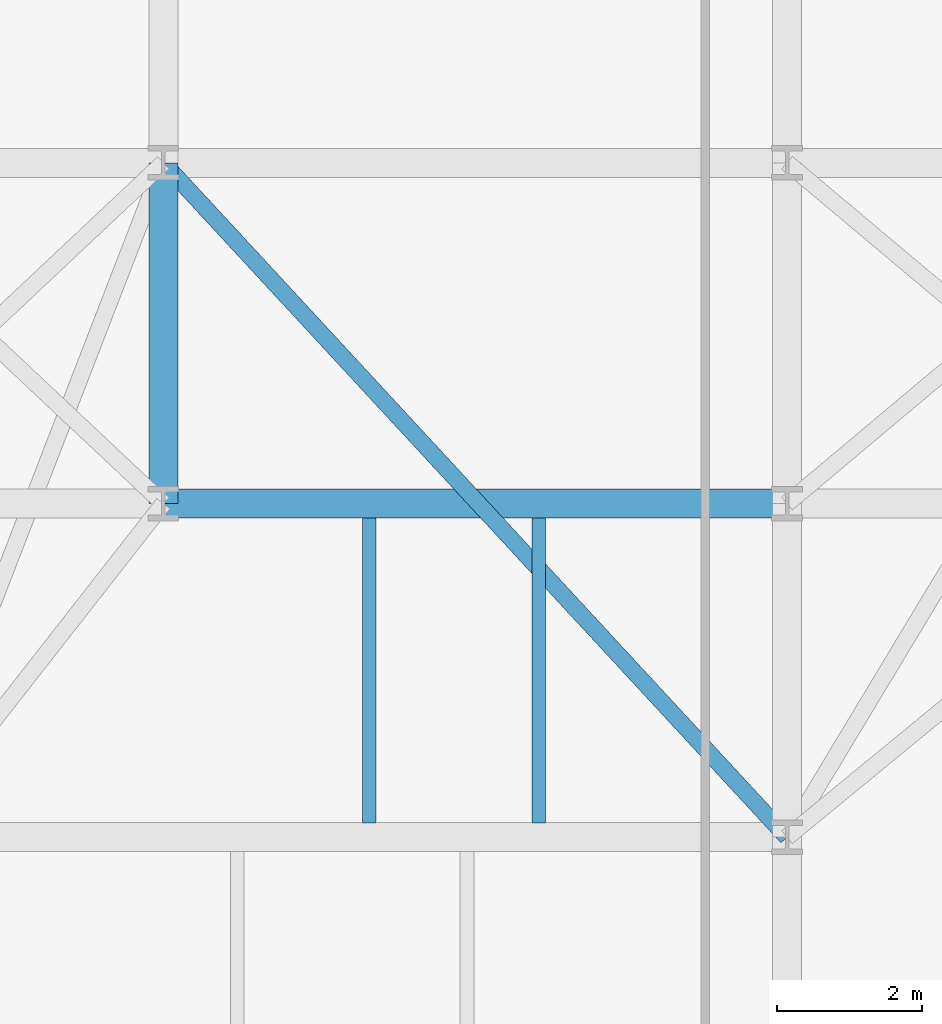
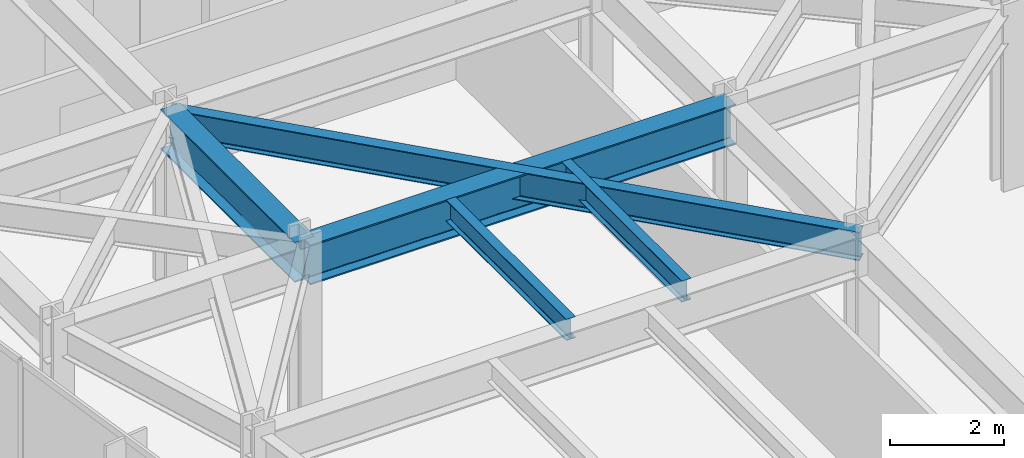
# One storey, part 10 of 26: 5 beams.
"""IFC4 building model written with IfcOpenShell, lengths in metres."""

from ifc_helpers import new_model, si_unit, direction, frame, origin, origin_2d, place, context, subcontext, project, spatial, i_section, extrude, material, material_profile, profile_set, type_object, element, save


model = new_model("IFC4")

# Units and contexts
model_context = context("Model", 3, precision=1e-05, world=origin(), true_north=direction((0.0, 1.0)))
body_context = subcontext(model_context, "Body", "Model", "MODEL_VIEW")
ifc_project = project(units=[si_unit("LENGTHUNIT", "METRE"), si_unit("AREAUNIT", "SQUARE_METRE"), si_unit("VOLUMEUNIT", "CUBIC_METRE"), si_unit("PLANEANGLEUNIT", "RADIAN"), si_unit("MASSUNIT", "GRAM", prefix="KILO")], contexts=[model_context])

# Site, building, storey
site_placement = place(None, origin())
site = spatial("IfcSite", under=ifc_project, at=site_placement, CompositionType="ELEMENT")
building_placement = place(site_placement, origin())
building = spatial("IfcBuilding", under=site, at=building_placement, Name="Kravanh Interchange Tower", CompositionType="ELEMENT")
storey_placement = place(building_placement, frame((0.0, 0.0, 124.0)))
storey = spatial("IfcBuildingStorey", under=building, at=storey_placement, Name="L29", CompositionType="ELEMENT", Elevation=124.0)

# Beams
ifc_material_1 = material(Name="Structural Steel S355", Category="steel")
ifc_material_profile_1 = material_profile(ifc_material_1, i_section(OverallWidth=0.39990234375, OverallDepth=0.85595703125, WebThickness=0.018310546875, FlangeThickness=0.029296875, FilletRadius=0.02490234375, at=origin_2d()), Name="W33X201")
ifc_profile_set_1 = profile_set([ifc_material_profile_1], Name="Structural Steel S355")
beam_type_1 = type_object("IfcBeamType", Name="Floor Beam W33X201 Structural Steel S355", PredefinedType="BEAM", material=ifc_profile_set_1)
beam_1_placement = place(storey_placement, frame((18.60009765625, 26.800048828125, 3.322021484375), z_axis=(0.0, 1.0, 0.0), x_axis=(-1.0, 0.0, 0.0)))
element("IfcBeam", 1, at=beam_1_placement, inside=storey, type_object=beam_type_1, Name="L29 Primary Floor Girder 41", PredefinedType="BEAM", context=body_context, shape_type="SweptSolid", body=[
    extrude(i_section(OverallWidth=0.39990234375, OverallDepth=0.85595703125, WebThickness=0.018310546875, FlangeThickness=0.029296875, FilletRadius=0.02490234375, at=origin_2d()), origin(), (0.0, 0.0, 1.0), 4.699951171875),
])
beam_2_placement = place(storey_placement, frame((18.60009765625, 26.800048828125, 3.322021484375), z_axis=(1.0, 0.0, 0.0), x_axis=(0.0, 1.0, 0.0)))
element("IfcBeam", 2, at=beam_2_placement, inside=storey, type_object=beam_type_1, Name="L29 Primary Floor Girder 44", PredefinedType="BEAM", context=body_context, shape_type="SweptSolid", body=[
    extrude(i_section(OverallWidth=0.39990234375, OverallDepth=0.85595703125, WebThickness=0.018310546875, FlangeThickness=0.029296875, FilletRadius=0.02490234375, at=origin_2d()), origin(), (0.0, 0.0, 1.0), 8.599853515625),
])
ifc_material_2 = material(Name="Structural Steel S355", Category="steel")
ifc_material_profile_2 = material_profile(ifc_material_2, i_section(OverallWidth=0.18994140625, OverallDepth=0.45703125, WebThickness=0.009033203125, FlangeThickness=0.014404296875, FilletRadius=0.01806640625, at=origin_2d()), Name="W18X50")
ifc_profile_set_2 = profile_set([ifc_material_profile_2], Name="Structural Steel S355")
beam_type_2 = type_object("IfcBeamType", Name="Floor Joist W18X50 Structural Steel S355", PredefinedType="JOIST", material=ifc_profile_set_2)
for number, where, z_axis, x_axis, name in (
    (3, (21.43994140625, 22.39501953125, 3.521484375), (0.0, 1.0, 0.0), (-1.0, 0.0, 0.0), "L29 Secondary Floor Joist 11"),
    (4, (23.77587890625, 22.39501953125, 3.521484375), (0.0, 1.0, 0.0), (-1.0, 0.0, 0.0), "L29 Secondary Floor Joist 12"),
):
    element("IfcBeam", number, at=place(storey_placement, frame(where, z_axis=z_axis, x_axis=x_axis)), inside=storey, type_object=beam_type_2, Name=name, PredefinedType="JOIST", context=body_context, shape_type="SweptSolid", body=[
        extrude(i_section(OverallWidth=0.18994140625, OverallDepth=0.45703125, WebThickness=0.009033203125, FlangeThickness=0.014404296875, FilletRadius=0.01806640625, at=origin_2d()), origin(), (0.0, 0.0, 1.0), 4.2099609375),
    ])
ifc_material_3 = material(Name="Structural Steel S355", Category="steel")
ifc_material_profile_3 = material_profile(ifc_material_3, i_section(OverallWidth=0.22802734375, OverallDepth=0.60791015625, WebThickness=0.01123046875, FlangeThickness=0.017333984375, FilletRadius=0.02197265625, at=origin_2d()), Name="W24X76")
ifc_profile_set_3 = profile_set([ifc_material_profile_3], Name="Structural Steel S355")
beam_type_3 = type_object("IfcBeamType", Name="Floor Spandrel W24X76 Structural Steel S355", PredefinedType="SPANDREL", material=ifc_profile_set_3)
beam_3_placement = place(storey_placement, frame((18.60009765625, 31.5, 3.446044921875), z_axis=(0.678927458783, -0.734205356634, 0.0), x_axis=(0.734205356634, 0.678927458783, 0.0)))
element("IfcBeam", 5, at=beam_3_placement, inside=storey, type_object=beam_type_3, Name="L29 Perimeter Spandrel 73", PredefinedType="SPANDREL", context=body_context, shape_type="SweptSolid", body=[
    extrude(i_section(OverallWidth=0.22802734375, OverallDepth=0.60791015625, WebThickness=0.01123046875, FlangeThickness=0.017333984375, FilletRadius=0.02197265625, at=origin_2d()), origin(), (0.0, 0.0, 1.0), 12.666748046875),
])

save(model, "model.ifc")
